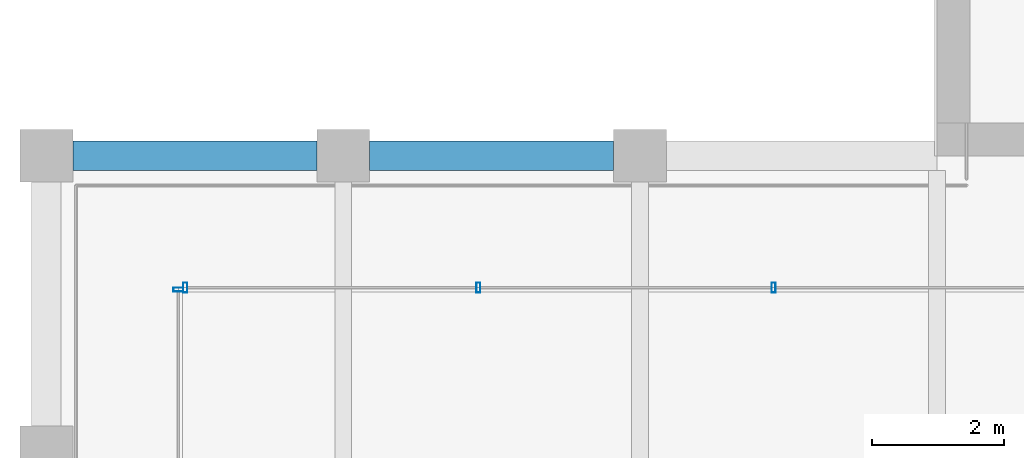
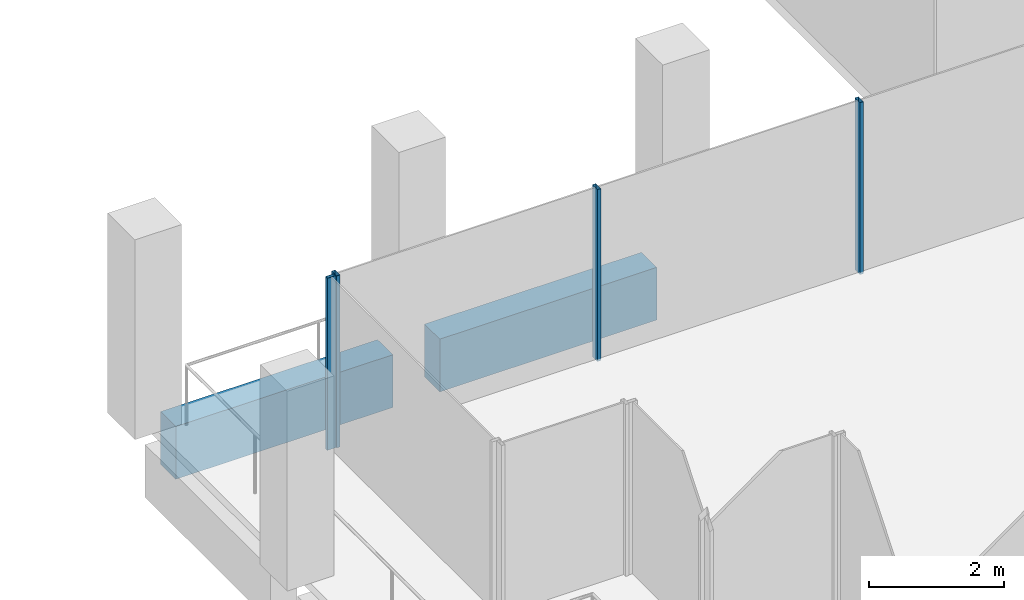
# One storey, part 5 of 40: 4 members, 2 beams, 2 elements without a shape of their own.
"""IFC4 building model written with IfcOpenShell, lengths in metres."""

from ifc_helpers import new_model, si_unit, direction, frame, origin, origin_2d, place, context, subcontext, project, spatial, rectangle, hollow_rectangle, extrude, material, material_profile, profile_set, type_object, element, aggregate, save


model = new_model("IFC4")

# Units and contexts
model_context = context("Model", 3, precision=1e-05, world=origin(), true_north=direction((0.0, 1.0)))
body_context = subcontext(model_context, "Body", "Model", "MODEL_VIEW")
ifc_project = project(units=[si_unit("LENGTHUNIT", "METRE"), si_unit("AREAUNIT", "SQUARE_METRE"), si_unit("VOLUMEUNIT", "CUBIC_METRE"), si_unit("PLANEANGLEUNIT", "RADIAN"), si_unit("MASSUNIT", "GRAM", prefix="KILO")], contexts=[model_context])

# Site, building, storey
site_placement = place(None, origin())
site = spatial("IfcSite", under=ifc_project, at=site_placement, CompositionType="ELEMENT")
building_placement = place(site_placement, origin())
building = spatial("IfcBuilding", under=site, at=building_placement, Name="Altepetl Exchange Towers", CompositionType="ELEMENT")
storey_placement = place(building_placement, frame((0.0, 0.0, 202.800048828125)))
storey = spatial("IfcBuildingStorey", under=building, at=storey_placement, Name="L51", CompositionType="ELEMENT", Elevation=202.800048828125)

# Curtain wall, members
ifc_material_1 = material(Name="Aluminium 6063-T6 glazing", Category="aluminium")
curtain_wall_type = type_object("IfcCurtainWallType", Name="Loggia glazing system", PredefinedType="NOTDEFINED", material=ifc_material_1)
curtain_wall_1_placement = place(storey_placement, origin())
curtain_wall_1 = element("IfcCurtainWall", 1, at=curtain_wall_1_placement, inside=storey, type_object=curtain_wall_type, Name="CW1 run", PredefinedType="NOTDEFINED")
ifc_material_2 = material(Name="Aluminium 6063-T6", Category="aluminium")
ifc_material_profile_1 = material_profile(ifc_material_2, hollow_rectangle(XDim=0.06005859375, YDim=0.14990234375, WallThickness=0.0029296875, at=origin_2d()), Name="Mullion 60x150 aluminium")
ifc_profile_set_1 = profile_set([ifc_material_profile_1], Name="Aluminium 6063-T6")
member_type = type_object("IfcMemberType", Name="Mullion 60x150 aluminium", PredefinedType="MULLION", material=ifc_profile_set_1)
member_1_placement = place(storey_placement, frame((38.02490234375, 38.5, 0.0), z_axis=(0.0, 0.0, 1.0), x_axis=(-1.0, 0.0, 0.0)))
member_1 = element("IfcMember", 2, at=member_1_placement, type_object=member_type, Name="MU1 mullion", PredefinedType="MULLION", context=body_context, shape_type="SweptSolid", body=[
    extrude(hollow_rectangle(XDim=0.06005859375, YDim=0.14990234375, WallThickness=0.0029296875, at=origin_2d()), origin(), (0.0, 0.0, 1.0), 3.099853515625),
])
member_2_placement = place(storey_placement, frame((33.550048828125, 38.5, 0.0), z_axis=(0.0, 0.0, 1.0), x_axis=(-1.0, 0.0, 0.0)))
member_2 = element("IfcMember", 3, at=member_2_placement, type_object=member_type, Name="MU1 mullion", PredefinedType="MULLION", context=body_context, shape_type="SweptSolid", body=[
    extrude(hollow_rectangle(XDim=0.06005859375, YDim=0.14990234375, WallThickness=0.0029296875, at=origin_2d()), origin(), (0.0, 0.0, 1.0), 3.099853515625),
])
member_3_placement = place(storey_placement, frame((29.10498046875, 38.5, 0.0), z_axis=(0.0, 0.0, 1.0), x_axis=(-1.0, 0.0, 0.0)))
member_3 = element("IfcMember", 4, at=member_3_placement, type_object=member_type, Name="MU1 mullion", PredefinedType="MULLION", context=body_context, shape_type="SweptSolid", body=[
    extrude(hollow_rectangle(XDim=0.06005859375, YDim=0.14990234375, WallThickness=0.0029296875, at=origin_2d()), origin(), (0.0, 0.0, 1.0), 3.099853515625),
])
aggregate(curtain_wall_1, [member_1, member_2, member_3])

# Curtain wall, member
curtain_wall_2_placement = place(storey_placement, origin())
curtain_wall_2 = element("IfcCurtainWall", 5, at=curtain_wall_2_placement, inside=storey, type_object=curtain_wall_type, Name="CW1 run", PredefinedType="NOTDEFINED")
member_4_placement = place(storey_placement, frame((29.0, 38.469970703125, 0.0), z_axis=(0.0, 0.0, 1.0), x_axis=(0.0, -1.0, 0.0)))
member_4 = element("IfcMember", 6, at=member_4_placement, type_object=member_type, Name="MU1 mullion", PredefinedType="MULLION", context=body_context, shape_type="SweptSolid", body=[
    extrude(hollow_rectangle(XDim=0.06005859375, YDim=0.14990234375, WallThickness=0.0029296875, at=origin_2d()), origin(), (0.0, 0.0, 1.0), 3.099853515625),
])
aggregate(curtain_wall_2, [member_4])

# Beams
ifc_material_3 = material(Name="Concrete C50/60 precast with tezontle facing", Category="concrete")
ifc_material_profile_2 = material_profile(ifc_material_3, rectangle(XDim=0.449951171875, YDim=0.949951171875, at=origin_2d()), Name="450 x 950")
ifc_profile_set_2 = profile_set([ifc_material_profile_2], Name="Concrete C50/60 precast with tezontle facing")
beam_type = type_object("IfcBeamType", Name="Spandrel beam 450x950 tezontle", PredefinedType="SPANDREL", material=ifc_profile_set_2)
for number, where, z_axis, x_axis, name in (
    (7, (35.60009765625, 40.5, -0.625), (-1.0, 0.0, 0.0), (0.0, -1.0, 0.0), "sp:A:L51:034"),
    (8, (31.10009765625, 40.5, -0.625), (-1.0, 0.0, 0.0), (0.0, -1.0, 0.0), "sp:A:L51:035"),
):
    element("IfcBeam", number, at=place(storey_placement, frame(where, z_axis=z_axis, x_axis=x_axis)), inside=storey, type_object=beam_type, Name=name, PredefinedType="SPANDREL", context=body_context, shape_type="SweptSolid", body=[
        extrude(rectangle(XDim=0.449951171875, YDim=0.949951171875, at=origin_2d()), origin(), (0.0, 0.0, 1.0), 3.7001953125),
    ])

save(model, "model.ifc")
